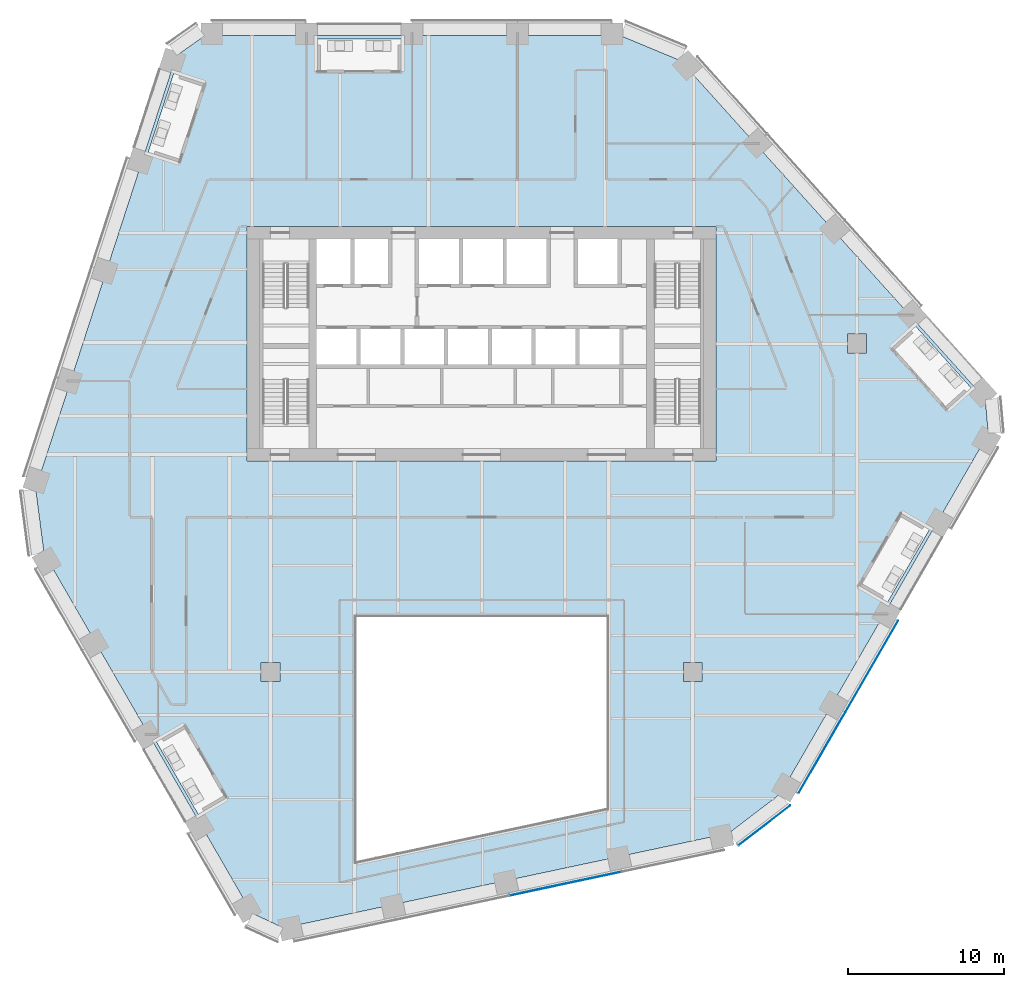
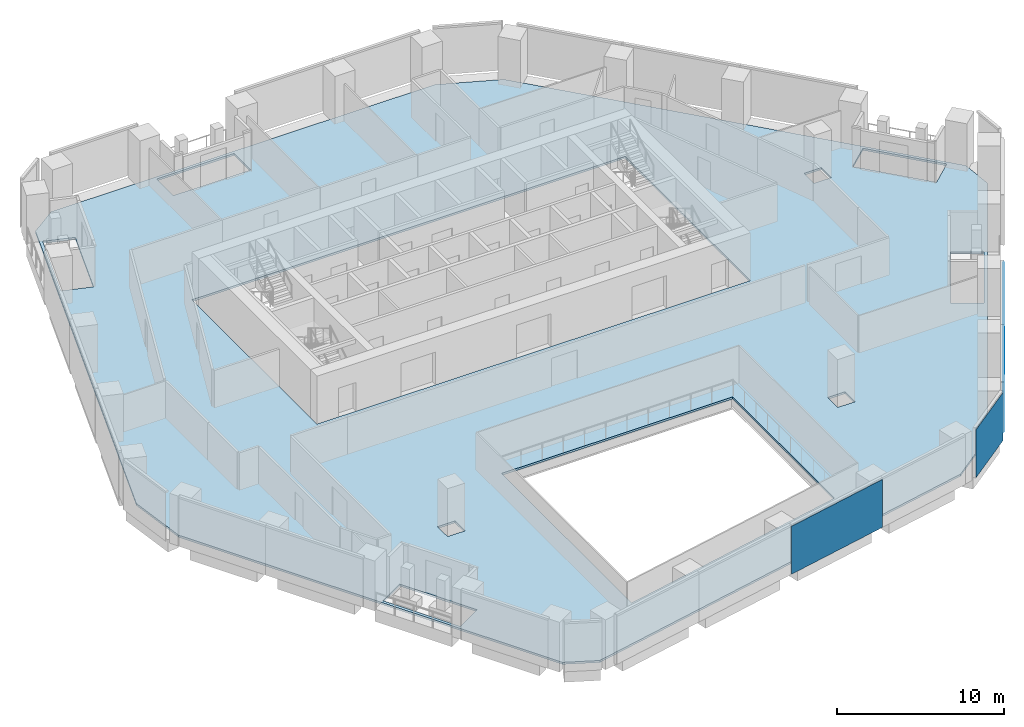
# One storey, part 14 of 26: 4 plates, 1 slab, 3 elements without a shape of their own.
"""IFC4 building model written with IfcOpenShell, lengths in metres."""

from ifc_helpers import new_model, si_unit, direction, frame, origin, origin_2d, place, context, subcontext, project, spatial, polyline, rectangle, outline, extrude, material, layer, layer_set, type_object, element, aggregate, save


model = new_model("IFC4")

# Units and contexts
model_context = context("Model", 3, precision=1e-05, world=origin(), true_north=direction((0.0, 1.0)))
body_context = subcontext(model_context, "Body", "Model", "MODEL_VIEW")
ifc_project = project(units=[si_unit("LENGTHUNIT", "METRE"), si_unit("AREAUNIT", "SQUARE_METRE"), si_unit("VOLUMEUNIT", "CUBIC_METRE"), si_unit("PLANEANGLEUNIT", "RADIAN"), si_unit("MASSUNIT", "GRAM", prefix="KILO")], contexts=[model_context])

# Site, building, storey
site_placement = place(None, origin())
site = spatial("IfcSite", under=ifc_project, at=site_placement, CompositionType="ELEMENT")
building_placement = place(site_placement, origin())
building = spatial("IfcBuilding", under=site, at=building_placement, Name="Isthmus Gate Tower", CompositionType="ELEMENT")
storey_placement = place(building_placement, frame((0.0, 0.0, 129.800048828125)))
storey = spatial("IfcBuildingStorey", under=building, at=storey_placement, Name="L31", CompositionType="ELEMENT", Elevation=129.800048828125)

# Slab
ifc_material_1 = material(Name="Concrete f'c 40 MPa", Category="concrete")
ifc_layer_1 = layer(ifc_material_1, 0.14990234375)
ifc_layer_set_1 = layer_set([ifc_layer_1], Name="COMPOSITE FLOOR SLAB 150")
slab_type = type_object("IfcSlabType", Name="COMPOSITE FLOOR SLAB 150", PredefinedType="FLOOR", material=ifc_layer_set_1)
slab_placement = place(storey_placement, frame((0.0, 0.0, -0.150146484375)))
element("IfcSlab", 1, at=slab_placement, inside=storey, type_object=slab_type, Name="str-slab-L31-1", PredefinedType="FLOOR", context=body_context, shape_type="SweptSolid", body=[
    extrude(outline(polyline([(12.72802734375, 25.599365234375), (32.21044921875, 3.9619140625), (32.410400390625, 1.736083984375), (19.116455078125, -21.289306640625), (15.8056640625, -23.822509765625), (-12.674072265625, -29.876220703125), (-14.701416015625, -28.936279296875), (-27.995361328125, -5.91064453125), (-28.53369140625, -1.77685546875), (-19.536376953125, 25.9140625), (-17.708740234375, 27.199951171875), (8.87890625, 27.199951171875), (12.72802734375, 25.599365234375)]), holes=[polyline([(-16.394775390625, -21.603515625), (-19.06982421875, -16.97021484375), (-20.8017578125, -17.97021484375), (-18.126708984375, -22.603515625), (-16.394775390625, -21.603515625)]), polyline([(8.0, -10.0), (-8.0, -10.0), (-8.0, -25.611083984375), (8.0, -22.210205078125), (8.0, -10.0)]), polyline([(-12.89990234375, -12.89990234375), (-14.10009765625, -12.89990234375), (-14.10009765625, -14.10009765625), (-12.89990234375, -14.10009765625), (-12.89990234375, -12.89990234375)]), polyline([(12.89990234375, -14.10009765625), (14.10009765625, -14.10009765625), (14.10009765625, -12.89990234375), (12.89990234375, -12.89990234375), (12.89990234375, -14.10009765625)]), polyline([(28.638671875, -4.396484375), (26.906494140625, -3.396484375), (24.2314453125, -8.02978515625), (25.96337890625, -9.02978515625), (28.638671875, -4.396484375)]), polyline([(26.277099609375, 7.263916015625), (29.817138671875, 3.33203125), (31.303466796875, 4.67041015625), (27.76318359375, 8.602294921875), (26.277099609375, 7.263916015625)]), polyline([(-15.0, 15.0), (-15.0, 0.0), (15.0, 0.0), (15.0, 15.0), (-15.0, 15.0)]), polyline([(24.60009765625, 6.89990234375), (24.60009765625, 8.10009765625), (23.39990234375, 8.10009765625), (23.39990234375, 6.89990234375), (24.60009765625, 6.89990234375)]), polyline([(-21.331298828125, 19.74267578125), (-19.42919921875, 19.12451171875), (-17.794189453125, 24.156494140625), (-19.6962890625, 24.7744140625), (-21.331298828125, 19.74267578125)]), polyline([(-10.51171875, 27.0), (-10.51171875, 25.0), (-5.16162109375, 25.0), (-5.16162109375, 27.0), (-10.51171875, 27.0)])]), origin(), (0.0, 0.0, 1.0), 0.150146484375),
])

# Curtain wall, plate
ifc_material_2 = material(Name="Aluminium, pale champagne anodised", Category="aluminium")
ifc_layer_2 = layer(ifc_material_2, 0.199951171875)
ifc_layer_set_2 = layer_set([ifc_layer_2], Name="CW-1 UNITISED CURTAIN WALL 200 DEEP")
curtain_wall_type = type_object("IfcCurtainWallType", Name="CW-1 UNITISED CURTAIN WALL 200 DEEP", PredefinedType="NOTDEFINED", material=ifc_layer_set_2)
curtain_wall_1_placement = place(storey_placement, origin())
curtain_wall_1 = element("IfcCurtainWall", 2, at=curtain_wall_1_placement, inside=storey, type_object=curtain_wall_type, Name="CW-1 S L31", PredefinedType="NOTDEFINED")
ifc_material_3 = material(Name="Laminated low-iron glass, pale blue tint", Category="glass")
ifc_layer_3 = layer(ifc_material_3, 0.035888671875)
ifc_layer_set_3 = layer_set([ifc_layer_3], Name="CW-1 CLEAR GLASS LITE 36")
plate_type = type_object("IfcPlateType", Name="CW-1 CLEAR GLASS LITE 36", PredefinedType="CURTAIN_PANEL", material=ifc_layer_set_3)
plate_1_placement = place(storey_placement, frame((5.371826171875, -27.044189453125, 0.0), z_axis=(0.0, 0.0, 1.0), x_axis=(0.978147600734, 0.207911690818, 0.0)))
plate_1 = element("IfcPlate", 3, at=plate_1_placement, type_object=plate_type, Name="CW-1 glass lite", PredefinedType="CURTAIN_PANEL", context=body_context, shape_type="SweptSolid", body=[
    extrude(rectangle(XDim=7.330810546875, YDim=0.035888671875, at=origin_2d()), origin(), (0.0, 0.0, 1.0), 3.510009765625),
])
aggregate(curtain_wall_1, [plate_1])

curtain_wall_2_placement = place(storey_placement, origin())
curtain_wall_2 = element("IfcCurtainWall", 4, at=curtain_wall_2_placement, inside=storey, type_object=curtain_wall_type, Name="CW-1 S-SE L31", PredefinedType="NOTDEFINED")
plate_2_placement = place(storey_placement, frame((18.08056640625, -23.318359375, 0.0), z_axis=(0.0, 0.0, 1.0), x_axis=(0.794188594387, 0.607671355706, 0.0)))
plate_2 = element("IfcPlate", 5, at=plate_2_placement, type_object=plate_type, Name="CW-1 glass lite", PredefinedType="CURTAIN_PANEL", context=body_context, shape_type="SweptSolid", body=[
    extrude(rectangle(XDim=4.181396484375, YDim=0.035888671875, at=origin_2d()), origin(), (0.0, 0.0, 1.0), 3.510009765625),
])
aggregate(curtain_wall_2, [plate_2])

# Curtain wall, plates
curtain_wall_3_placement = place(storey_placement, origin())
curtain_wall_3 = element("IfcCurtainWall", 6, at=curtain_wall_3_placement, inside=storey, type_object=curtain_wall_type, Name="CW-1 SE L31", PredefinedType="NOTDEFINED")
plate_3_placement = place(storey_placement, frame((21.7646484375, -18.666748046875, 0.0), z_axis=(0.0, 0.0, 1.0), x_axis=(0.5, 0.866025403784, 0.0)))
plate_3 = element("IfcPlate", 7, at=plate_3_placement, type_object=plate_type, Name="CW-1 glass lite", PredefinedType="CURTAIN_PANEL", context=body_context, shape_type="SweptSolid", body=[
    extrude(rectangle(XDim=5.990234375, YDim=0.035888671875, at=origin_2d()), origin(), (0.0, 0.0, 1.0), 3.510009765625),
])
plate_4_placement = place(storey_placement, frame((24.94970703125, -13.14990234375, 0.0), z_axis=(0.0, 0.0, 1.0), x_axis=(0.5, 0.866025403784, 0.0)))
plate_4 = element("IfcPlate", 8, at=plate_4_placement, type_object=plate_type, Name="CW-1 glass lite", PredefinedType="CURTAIN_PANEL", context=body_context, shape_type="SweptSolid", body=[
    extrude(rectangle(XDim=6.750244140625, YDim=0.035888671875, at=origin_2d()), origin(), (0.0, 0.0, 1.0), 3.510009765625),
])
aggregate(curtain_wall_3, [plate_3, plate_4])

save(model, "model.ifc")
